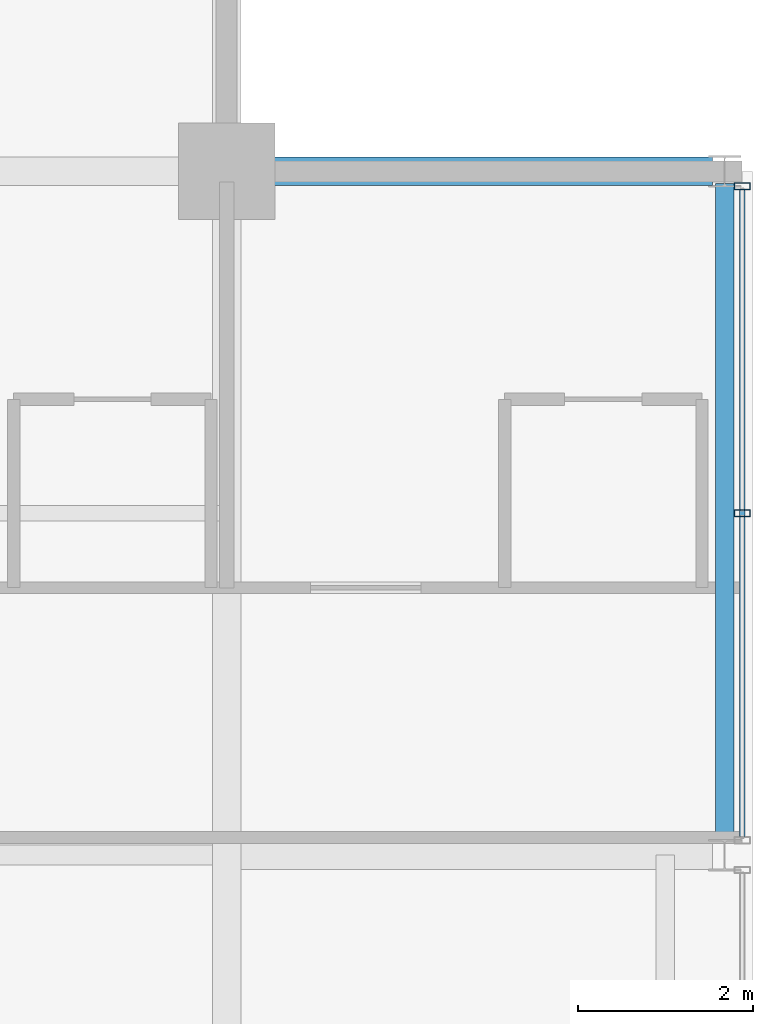
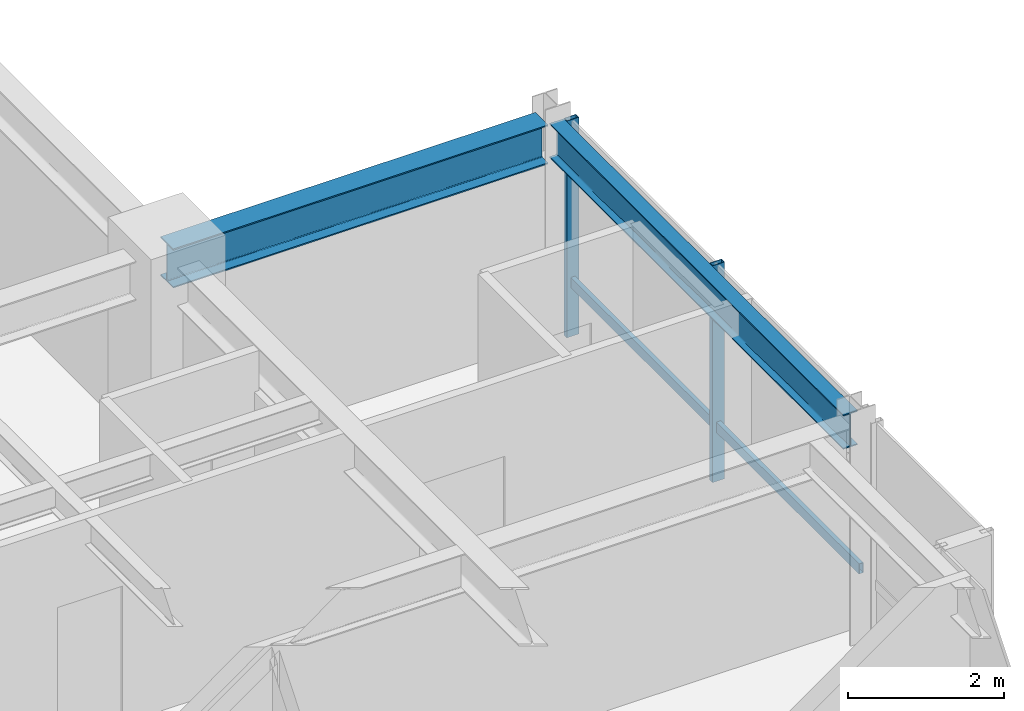
# One storey, part 26 of 34: 3 members, 2 beams, 1 element without a shape of its own.
"""IFC4 building model written with IfcOpenShell, lengths in metres."""

from ifc_helpers import new_model, si_unit, direction, frame, origin, origin_2d, place, context, subcontext, project, spatial, hollow_rectangle, i_section, extrude, material, layer, layer_set, material_profile, profile_set, type_object, element, aggregate, save


model = new_model("IFC4")

# Units and contexts
model_context = context("Model", 3, precision=1e-05, world=origin(), true_north=direction((0.0, 1.0)))
body_context = subcontext(model_context, "Body", "Model", "MODEL_VIEW")
ifc_project = project(units=[si_unit("LENGTHUNIT", "METRE"), si_unit("AREAUNIT", "SQUARE_METRE"), si_unit("VOLUMEUNIT", "CUBIC_METRE"), si_unit("PLANEANGLEUNIT", "RADIAN"), si_unit("MASSUNIT", "GRAM", prefix="KILO")], contexts=[model_context])

# Site, building, storey
site_placement = place(None, origin())
site = spatial("IfcSite", under=ifc_project, at=site_placement, CompositionType="ELEMENT")
building_placement = place(site_placement, origin())
building = spatial("IfcBuilding", under=site, at=building_placement, Name="Drelvath Grand Hotel", CompositionType="ELEMENT")
storey_placement = place(building_placement, frame((0.0, 0.0, 272.300048828125)))
storey = spatial("IfcBuildingStorey", under=building, at=storey_placement, Name="L71", CompositionType="ELEMENT", Elevation=272.300048828125)

# Curtain wall, members
ifc_material_1 = material(Name="Platinum-Mist Anodised Aluminium Frame", Category="aluminium")
ifc_layer = layer(ifc_material_1, 0.199951171875)
ifc_layer_set = layer_set([ifc_layer], Name="Platinum-Mist Anodised Aluminium Frame")
curtain_wall_type = type_object("IfcCurtainWallType", Name="Stick Curtain Wall CW-05 Platinum Mist High-Rise", PredefinedType="NOTDEFINED", material=ifc_layer_set)
curtain_wall_placement = place(storey_placement, origin())
curtain_wall = element("IfcCurtainWall", 1, at=curtain_wall_placement, inside=storey, type_object=curtain_wall_type, Name="L71 CW-05 Curtain Wall CW05-L71-EN2", PredefinedType="NOTDEFINED")
ifc_material_profile_1 = material_profile(ifc_material_1, hollow_rectangle(XDim=0.06494140625, YDim=0.159912109375, WallThickness=0.00390625, at=origin_2d()), Name="HSS160X65X4")
ifc_profile_set_1 = profile_set([ifc_material_profile_1], Name="Platinum-Mist Anodised Aluminium Frame")
member_type_1 = type_object("IfcMemberType", Name="Curtain Wall Horizontal Transom CW-05 HSS160X65X4", PredefinedType="USERDEFINED", material=ifc_profile_set_1)
member_1_placement = place(storey_placement, frame((22.080078125, 42.989990234375, 0.847412109375), z_axis=(0.0, -1.0, 0.0), x_axis=(1.0, 0.0, 0.0)))
member_1 = element("IfcMember", 2, at=member_1_placement, type_object=member_type_1, Name="CW05-L71-EN2 Sill Transom", ObjectType="TRANSOM", PredefinedType="USERDEFINED", context=body_context, shape_type="SweptSolid", body=[
    extrude(hollow_rectangle(XDim=0.06494140625, YDim=0.159912109375, WallThickness=0.00390625, at=origin_2d()), origin(), (0.0, 0.0, 1.0), 7.3798828125),
])
ifc_material_profile_2 = material_profile(ifc_material_1, hollow_rectangle(XDim=0.074951171875, YDim=0.179931640625, WallThickness=0.0048828125, at=origin_2d()), Name="HSS180X75X5")
ifc_profile_set_2 = profile_set([ifc_material_profile_2], Name="Platinum-Mist Anodised Aluminium Frame")
member_type_2 = type_object("IfcMemberType", Name="Curtain Wall Vertical Mullion CW-05 HSS180X75X5", PredefinedType="MULLION", material=ifc_profile_set_2)
member_2_placement = place(storey_placement, frame((22.080078125, 43.030029296875, 0.0), z_axis=(0.0, 0.0, 1.0), x_axis=(0.0, 1.0, 0.0)))
member_2 = element("IfcMember", 3, at=member_2_placement, type_object=member_type_2, Name="CW05-L71-EN2 Mullion 1", PredefinedType="MULLION", context=body_context, shape_type="SweptSolid", body=[
    extrude(hollow_rectangle(XDim=0.074951171875, YDim=0.179931640625, WallThickness=0.0048828125, at=origin_2d()), origin(), (0.0, 0.0, 1.0), 3.389892578125),
])
member_3_placement = place(storey_placement, frame((22.080078125, 39.300048828125, 0.0), z_axis=(0.0, 0.0, 1.0), x_axis=(0.0, 1.0, 0.0)))
member_3 = element("IfcMember", 4, at=member_3_placement, type_object=member_type_2, Name="CW05-L71-EN2 Mullion 2", PredefinedType="MULLION", context=body_context, shape_type="SweptSolid", body=[
    extrude(hollow_rectangle(XDim=0.074951171875, YDim=0.179931640625, WallThickness=0.0048828125, at=origin_2d()), origin(), (0.0, 0.0, 1.0), 3.389892578125),
])
aggregate(curtain_wall, [member_2, member_3, member_1])

# Beams
ifc_material_2 = material(Name="Steel ASTM A992 Gr 50", Category="steel")
ifc_material_profile_3 = material_profile(ifc_material_2, i_section(OverallWidth=0.210205078125, OverallDepth=0.53662109375, WebThickness=0.010986328125, FlangeThickness=0.017333984375, FilletRadius=0.01806640625, at=origin_2d()), Name="W21X68")
ifc_profile_set_3 = profile_set([ifc_material_profile_3], Name="Steel ASTM A992 Gr 50")
beam_type_1 = type_object("IfcBeamType", Name="Perimeter Spandrel Beam W21X68", PredefinedType="SPANDREL", material=ifc_profile_set_3)
beam_1_placement = place(storey_placement, frame((21.8798828125, 35.5400390625, 3.12158203125), z_axis=(0.0, 1.0, 0.0), x_axis=(-1.0, 0.0, 0.0)))
element("IfcBeam", 5, at=beam_1_placement, inside=storey, type_object=beam_type_1, Name="L71 Spandrel East N", PredefinedType="SPANDREL", context=body_context, shape_type="SweptSolid", body=[
    extrude(i_section(OverallWidth=0.210205078125, OverallDepth=0.53662109375, WebThickness=0.010986328125, FlangeThickness=0.017333984375, FilletRadius=0.01806640625, at=origin_2d()), origin(), (0.0, 0.0, 1.0), 7.52001953125),
])
ifc_material_profile_4 = material_profile(ifc_material_2, i_section(OverallWidth=0.323974609375, OverallDepth=0.611083984375, WebThickness=0.0126953125, FlangeThickness=0.01904296875, FilletRadius=0.02197265625, at=origin_2d()), Name="W24X104")
ifc_profile_set_4 = profile_set([ifc_material_profile_4], Name="Steel ASTM A992 Gr 50")
beam_type_2 = type_object("IfcBeamType", Name="Primary Floor Girder W24X104", PredefinedType="BEAM", material=ifc_profile_set_4)
beam_2_placement = place(storey_placement, frame((16.199951171875, 43.199951171875, 3.08447265625), z_axis=(1.0, 0.0, 0.0), x_axis=(0.0, 1.0, 0.0)))
element("IfcBeam", 6, at=beam_2_placement, inside=storey, type_object=beam_type_2, Name="L71 East Grid Girder G", PredefinedType="BEAM", context=body_context, shape_type="SweptSolid", body=[
    extrude(i_section(OverallWidth=0.323974609375, OverallDepth=0.611083984375, WebThickness=0.0126953125, FlangeThickness=0.01904296875, FilletRadius=0.02197265625, at=origin_2d()), origin(), (0.0, 0.0, 1.0), 5.5400390625),
])

save(model, "model.ifc")
